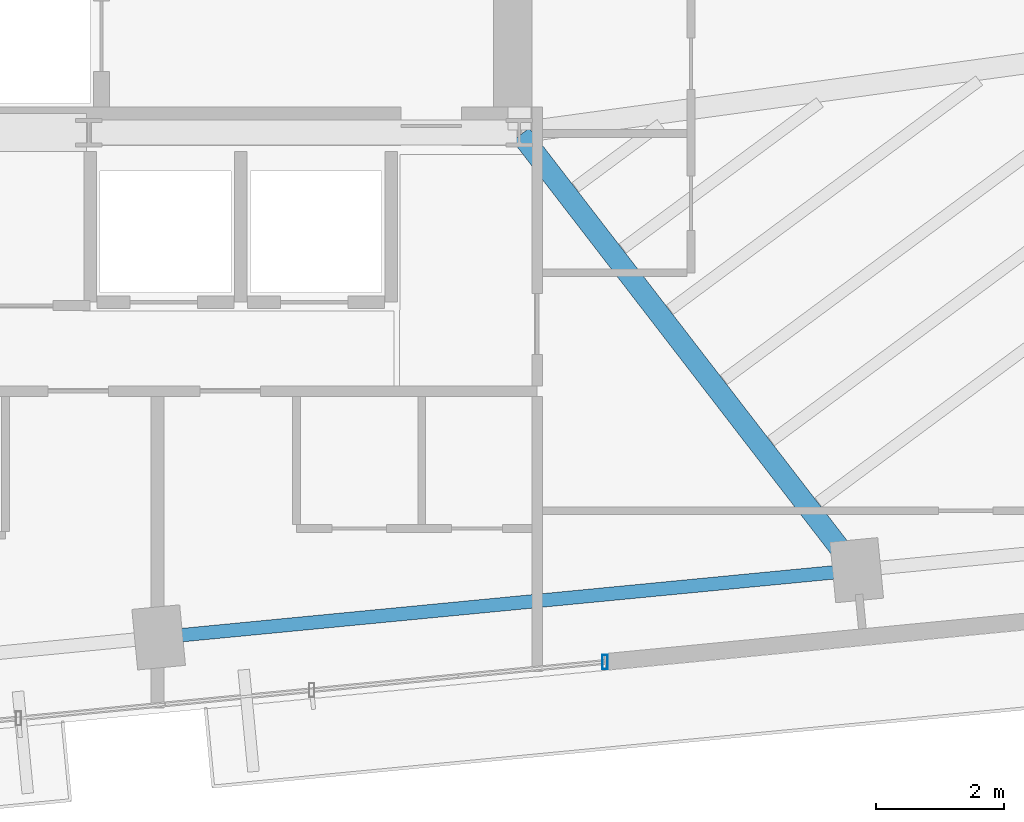
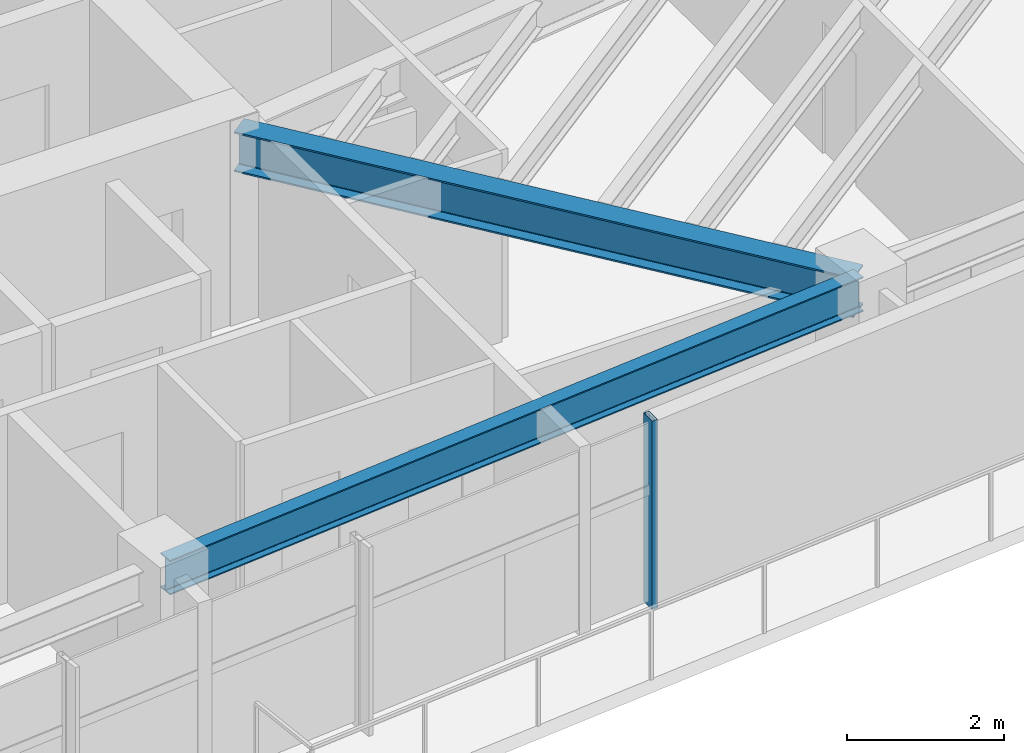
# One storey, part 8 of 18: 2 beams, 1 member, 1 element without a shape of its own.
"""IFC4 building model written with IfcOpenShell, lengths in metres."""

from ifc_helpers import new_model, si_unit, direction, frame, origin, origin_2d, place, context, subcontext, project, spatial, hollow_rectangle, i_section, extrude, source, transform, mapped, material, material_profile, profile_set, type_object, type_shapes, element, aggregate, save


model = new_model("IFC4")

# Units and contexts
model_context = context("Model", 3, precision=1e-05, world=origin(), true_north=direction((0.0, 1.0)))
body_context = subcontext(model_context, "Body", "Model", "MODEL_VIEW")
ifc_project = project(units=[si_unit("LENGTHUNIT", "METRE"), si_unit("AREAUNIT", "SQUARE_METRE"), si_unit("VOLUMEUNIT", "CUBIC_METRE"), si_unit("PLANEANGLEUNIT", "RADIAN"), si_unit("MASSUNIT", "GRAM", prefix="KILO")], contexts=[model_context])

# Site, building, storey
site_placement = place(None, origin())
site = spatial("IfcSite", under=ifc_project, at=site_placement, CompositionType="ELEMENT")
building_placement = place(site_placement, origin())
building = spatial("IfcBuilding", under=site, at=building_placement, Name="Astriad Promenade Condominiums", CompositionType="ELEMENT")
storey_placement = place(building_placement, frame((0.0, 0.0, 198.60009765625)))
storey = spatial("IfcBuildingStorey", under=building, at=storey_placement, Name="L57", CompositionType="ELEMENT", Elevation=198.60009765625)

# Beams
ifc_material_1 = material(Name="Steel ASTM A992 Grade 50", Category="steel")
ifc_material_profile_1 = material_profile(ifc_material_1, i_section(OverallWidth=0.210693359375, OverallDepth=0.53955078125, WebThickness=0.01171875, FlangeThickness=0.018798828125, FilletRadius=0.0166015625, at=origin_2d()), Name="W21X73")
ifc_profile_set_1 = profile_set([ifc_material_profile_1], Name="Steel ASTM A992 Grade 50")
beam_type_1 = type_object("IfcBeamType", Name="STEEL SPANDREL BEAM W21X73", PredefinedType="SPANDREL", material=ifc_profile_set_1)
shared_shape_1 = source(origin(), body_context, "Body", "SweptSolid", [
    extrude(i_section(OverallWidth=0.210693359375, OverallDepth=0.53955078125, WebThickness=0.01171875, FlangeThickness=0.018798828125, FilletRadius=0.0166015625, at=origin_2d()), origin(), (0.0, 0.0, 1.0), 10.8701171875),
])
type_shapes(beam_type_1, [shared_shape_1])
beam_1_placement = place(storey_placement, frame((40.008544921875, 9.520751953125, 2.670166015625), z_axis=(0.995397128983, 0.095836087217, 0.0), x_axis=(-0.095836087217, 0.995397128983, 0.0)))
element("IfcBeam", 1, at=beam_1_placement, inside=storey, type_object=beam_type_1, Name="Perimeter Spandrel Beam SP-S3-L57", PredefinedType="SPANDREL", context=body_context, shape_type="MappedRepresentation", body=[
    mapped(shared_shape_1, transform((0.0, 0.0, 0.0), scale=1.0)),
])
ifc_material_profile_2 = material_profile(ifc_material_1, i_section(OverallWidth=0.326416015625, OverallDepth=0.621826171875, WebThickness=0.015380859375, FlangeThickness=0.0244140625, FilletRadius=0.017822265625, at=origin_2d()), Name="W24X131")
ifc_profile_set_2 = profile_set([ifc_material_profile_2], Name="Steel ASTM A992 Grade 50")
beam_type_2 = type_object("IfcBeamType", Name="STEEL FLOOR GIRDER W24X131", PredefinedType="BEAM", material=ifc_profile_set_2)
shared_shape_2 = source(origin(), body_context, "Body", "SweptSolid", [
    extrude(i_section(OverallWidth=0.326416015625, OverallDepth=0.621826171875, WebThickness=0.015380859375, FlangeThickness=0.0244140625, FilletRadius=0.017822265625, at=origin_2d()), origin(), (0.0, 0.0, 1.0), 8.548583984375),
])
type_shapes(beam_type_2, [shared_shape_2])
beam_2_placement = place(storey_placement, frame((50.843994140625, 10.59814453125, 2.62890625), z_axis=(-0.610561975536, 0.791968480452, 0.0), x_axis=(-0.791968480452, -0.610561975536, 0.0)))
element("IfcBeam", 2, at=beam_2_placement, inside=storey, type_object=beam_type_2, Name="Primary Floor Girder PG-E2-L57", PredefinedType="BEAM", context=body_context, shape_type="MappedRepresentation", body=[
    mapped(shared_shape_2, transform((0.0, 0.0, 0.0), scale=1.0)),
])

# Curtain wall, member
ifc_material_2 = material(Name="Anodised aluminium Black Dark Glass Unitised", Category="aluminium")
curtain_wall_type = type_object("IfcCurtainWallType", Name="CW-B34-DARK", PredefinedType="USERDEFINED", material=ifc_material_2)
curtain_wall_placement = place(storey_placement, origin())
curtain_wall = element("IfcCurtainWall", 3, at=curtain_wall_placement, inside=storey, type_object=curtain_wall_type, Name="CW-L57-S", ObjectType="UNITISED_CURTAIN_WALL", PredefinedType="USERDEFINED")
ifc_material_3 = material(Name="Anodised aluminium 6063-T6 Black", Category="aluminium")
ifc_material_profile_3 = material_profile(ifc_material_3, hollow_rectangle(XDim=0.0849609375, YDim=0.219970703125, WallThickness=0.0048828125, at=origin_2d()), Name="ALU-MUL-85X220")
ifc_profile_set_3 = profile_set([ifc_material_profile_3], Name="Anodised aluminium 6063-T6 Black")
member_type = type_object("IfcMemberType", Name="MUL-ALU-MUL-85X220", PredefinedType="MULLION", material=ifc_profile_set_3)
shared_shape_3 = source(origin(), body_context, "Body", "SweptSolid", [
    extrude(hollow_rectangle(XDim=0.0849609375, YDim=0.219970703125, WallThickness=0.0048828125, at=origin_2d()), origin(), (0.0, 0.0, 1.0), 2.93994140625),
])
type_shapes(member_type, [shared_shape_3])
member_placement = place(storey_placement, frame((46.9375, 9.133056640625, 0.0), z_axis=(0.0, 0.0, 1.0), x_axis=(1.0, 0.0, 0.0)))
member = element("IfcMember", 4, at=member_placement, type_object=member_type, Name="CW-L57-S-MUL-00", PredefinedType="MULLION", context=body_context, shape_type="MappedRepresentation", body=[
    mapped(shared_shape_3, transform((0.0, 0.0, 0.0), scale=1.0)),
])
aggregate(curtain_wall, [member])

save(model, "model.ifc")
